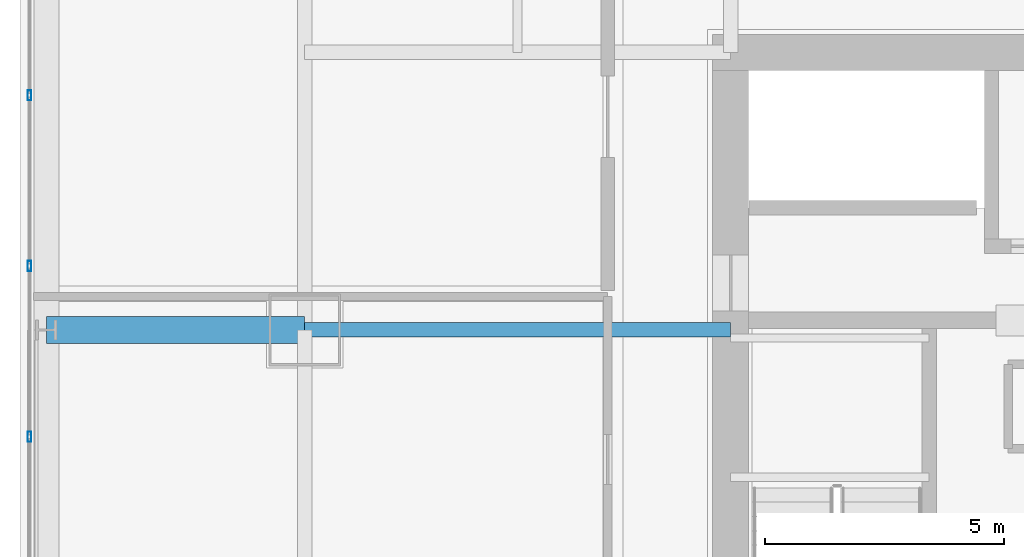
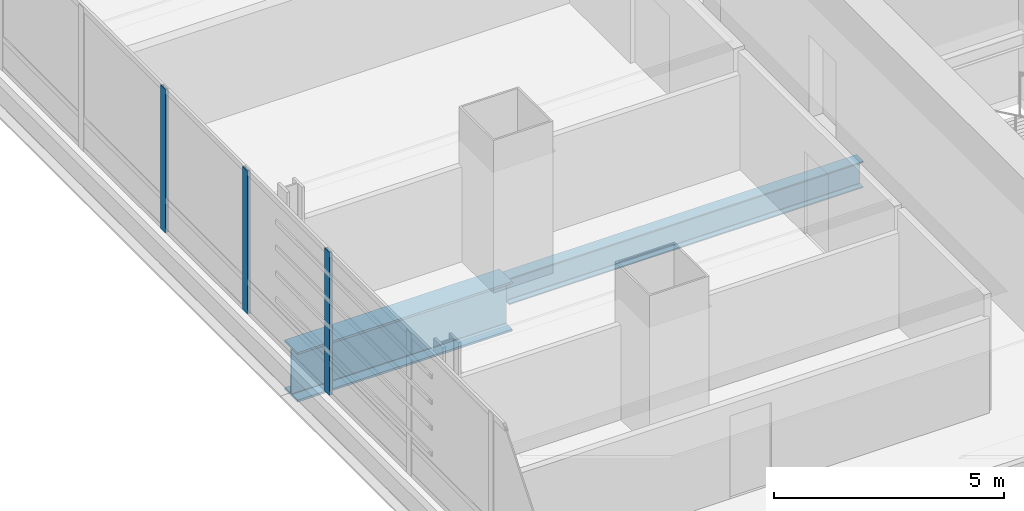
# One storey, part 11 of 36: 3 members, 2 beams, 1 element without a shape of its own.
"""IFC4 building model written with IfcOpenShell, lengths in metres."""

from ifc_helpers import new_model, si_unit, direction, frame, origin, origin_2d, place, context, subcontext, project, spatial, hollow_rectangle, i_section, extrude, material, material_profile, profile_set, type_object, element, aggregate, save


model = new_model("IFC4")

# Units and contexts
model_context = context("Model", 3, precision=1e-05, world=origin(), true_north=direction((0.0, 1.0)))
body_context = subcontext(model_context, "Body", "Model", "MODEL_VIEW")
ifc_project = project(units=[si_unit("LENGTHUNIT", "METRE"), si_unit("AREAUNIT", "SQUARE_METRE"), si_unit("VOLUMEUNIT", "CUBIC_METRE"), si_unit("PLANEANGLEUNIT", "RADIAN"), si_unit("MASSUNIT", "GRAM", prefix="KILO")], contexts=[model_context])

# Site, building, storey
site_placement = place(None, origin())
site = spatial("IfcSite", under=ifc_project, at=site_placement, CompositionType="ELEMENT")
building_placement = place(site_placement, origin())
building = spatial("IfcBuilding", under=site, at=building_placement, Name="Punatoya Terracotta Tower", CompositionType="ELEMENT")
storey_placement = place(building_placement, frame((0.0, 0.0, 48.449951171875)))
storey = spatial("IfcBuildingStorey", under=building, at=storey_placement, Name="L10", CompositionType="ELEMENT", Elevation=48.449951171875)

# Beams
ifc_material_1 = material(Name="Steel S355", Category="steel")
ifc_material_profile_1 = material_profile(ifc_material_1, i_section(OverallWidth=0.300048828125, OverallDepth=0.699951171875, WebThickness=0.01708984375, FlangeThickness=0.031982421875, FilletRadius=0.01806640625, at=origin_2d()))
ifc_profile_set_1 = profile_set([ifc_material_profile_1], Name="Steel S355")
beam_type_1 = type_object("IfcBeamType", Name="BM-PRI-700", PredefinedType="BEAM", material=ifc_profile_set_1)
beam_1_placement = place(storey_placement, frame((-19.10009765625, 3.39990234375, -0.58984375), z_axis=(1.0, 0.0, 0.0), x_axis=(0.0, 1.0, 0.0)))
element("IfcBeam", 1, at=beam_1_placement, inside=storey, type_object=beam_type_1, Name="BM-L10-PR-WE", PredefinedType="BEAM", context=body_context, shape_type="SweptSolid", body=[
    extrude(i_section(OverallWidth=0.300048828125, OverallDepth=0.699951171875, WebThickness=0.01708984375, FlangeThickness=0.031982421875, FilletRadius=0.01806640625, at=origin_2d()), origin(), (0.0, 0.0, 1.0), 8.900146484375),
])
ifc_material_2 = material(Name="Steel S460", Category="steel")
ifc_material_profile_2 = material_profile(ifc_material_2, i_section(OverallWidth=0.56005859375, OverallDepth=1.320068359375, WebThickness=0.035888671875, FlangeThickness=0.054931640625, FilletRadius=0.01806640625, at=origin_2d()))
ifc_profile_set_2 = profile_set([ifc_material_profile_2], Name="Steel S460")
beam_type_2 = type_object("IfcBeamType", Name="BM-TG-BLK", PredefinedType="BEAM", material=ifc_profile_set_2)
beam_2_placement = place(storey_placement, frame((-24.5, 3.39990234375, -0.89990234375), z_axis=(1.0, 0.0, 0.0), x_axis=(0.0, 1.0, 0.0)))
element("IfcBeam", 2, at=beam_2_placement, inside=storey, type_object=beam_type_2, Name="BM-L10-CANT-W3", PredefinedType="BEAM", context=body_context, shape_type="SweptSolid", body=[
    extrude(i_section(OverallWidth=0.56005859375, OverallDepth=1.320068359375, WebThickness=0.035888671875, FlangeThickness=0.054931640625, FilletRadius=0.01806640625, at=origin_2d()), origin(), (0.0, 0.0, 1.0), 5.39990234375),
])

# Curtain wall, members
ifc_material_3 = material(Name="Aluminium 6063-T6 + Double Low-E Glass", Category="aluminium")
curtain_wall_type = type_object("IfcCurtainWallType", Name="CW-M1", PredefinedType="NOTDEFINED", material=ifc_material_3)
curtain_wall_placement = place(storey_placement, origin())
curtain_wall = element("IfcCurtainWall", 3, at=curtain_wall_placement, inside=storey, type_object=curtain_wall_type, Name="L10 Curtain Wall CW-L10-W13-1", PredefinedType="NOTDEFINED")
ifc_material_4 = material(Name="Aluminium 6063-T6", Category="aluminium")
ifc_material_profile_3 = material_profile(ifc_material_4, hollow_rectangle(XDim=0.074951171875, YDim=0.2099609375, WallThickness=0.00439453125, at=origin_2d()))
ifc_profile_set_3 = profile_set([ifc_material_profile_3], Name="Aluminium 6063-T6")
member_type = type_object("IfcMemberType", Name="CW-MUL-M1", PredefinedType="MULLION", material=ifc_profile_set_3)
member_1_placement = place(storey_placement, frame((-24.85009765625, 8.302001953125, 0.0), z_axis=(0.0, 0.0, 1.0), x_axis=(1.0, 0.0, 0.0)))
member_1 = element("IfcMember", 4, at=member_1_placement, type_object=member_type, Name="CW-L10-W13-1 Mullion 02", PredefinedType="MULLION", context=body_context, shape_type="SweptSolid", body=[
    extrude(hollow_rectangle(XDim=0.074951171875, YDim=0.2099609375, WallThickness=0.00439453125, at=origin_2d()), origin(), (0.0, 0.0, 1.0), 3.81005859375),
])
member_2_placement = place(storey_placement, frame((-24.85009765625, 4.73486328125, 0.0), z_axis=(0.0, 0.0, 1.0), x_axis=(1.0, 0.0, 0.0)))
member_2 = element("IfcMember", 5, at=member_2_placement, type_object=member_type, Name="CW-L10-W13-1 Mullion 03", PredefinedType="MULLION", context=body_context, shape_type="SweptSolid", body=[
    extrude(hollow_rectangle(XDim=0.074951171875, YDim=0.2099609375, WallThickness=0.00439453125, at=origin_2d()), origin(), (0.0, 0.0, 1.0), 3.81005859375),
])
member_3_placement = place(storey_placement, frame((-24.85009765625, 1.16748046875, 0.0), z_axis=(0.0, 0.0, 1.0), x_axis=(1.0, 0.0, 0.0)))
member_3 = element("IfcMember", 6, at=member_3_placement, type_object=member_type, Name="CW-L10-W13-1 Mullion 04", PredefinedType="MULLION", context=body_context, shape_type="SweptSolid", body=[
    extrude(hollow_rectangle(XDim=0.074951171875, YDim=0.2099609375, WallThickness=0.00439453125, at=origin_2d()), origin(), (0.0, 0.0, 1.0), 3.81005859375),
])
aggregate(curtain_wall, [member_1, member_2, member_3])

save(model, "model.ifc")
